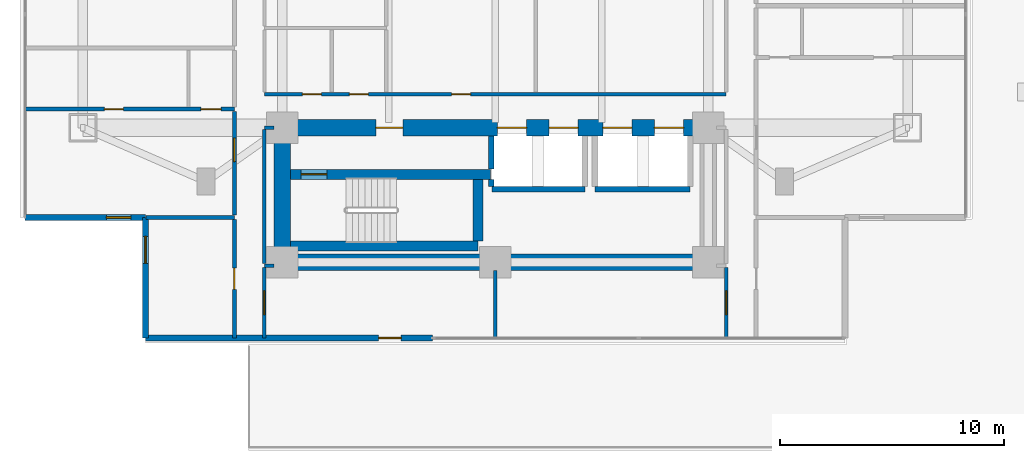
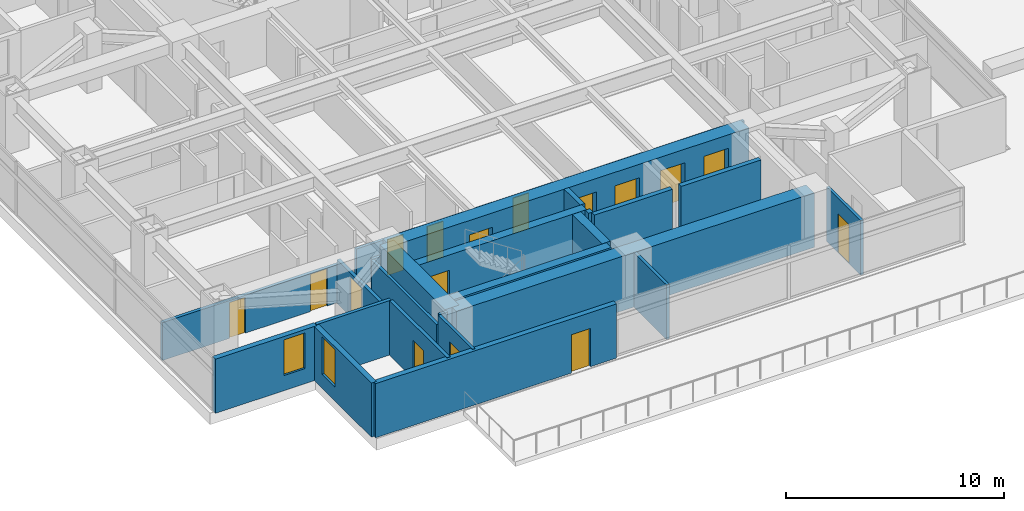
# One storey, part 12 of 26: 24 walls, 16 doors, 2 windows, 18 openings.
"""IFC4 building model written with IfcOpenShell, lengths in metres."""

from ifc_helpers import new_model, si_unit, direction, frame, frame_2d, origin, place, context, subcontext, project, spatial, rectangle, extrude, material, layer, layer_set, type_object, element, fill, save


model = new_model("IFC4")

# Units and contexts
model_context = context("Model", 3, precision=1e-05, world=origin(), true_north=direction((0.0, 1.0)))
body_context = subcontext(model_context, "Body", "Model", "MODEL_VIEW")
ifc_project = project(units=[si_unit("LENGTHUNIT", "METRE"), si_unit("AREAUNIT", "SQUARE_METRE"), si_unit("VOLUMEUNIT", "CUBIC_METRE"), si_unit("PLANEANGLEUNIT", "RADIAN"), si_unit("MASSUNIT", "GRAM", prefix="KILO")], contexts=[model_context])

# Site, building, storey
site_placement = place(None, origin())
site = spatial("IfcSite", under=ifc_project, at=site_placement, CompositionType="ELEMENT")
building_placement = place(site_placement, origin())
building = spatial("IfcBuilding", under=site, at=building_placement, Name="Mirazonda Arch Towers", CompositionType="ELEMENT")
storey_placement = place(building_placement, frame((0.0, 0.0, 22.39990234375)))
storey = spatial("IfcBuildingStorey", under=building, at=storey_placement, Name="L05", CompositionType="ELEMENT", Elevation=22.39990234375)

# Wall
ifc_material_1 = material(Name="Concrete C50/60", Category="concrete")
ifc_layer_1 = layer(ifc_material_1, 0.449951171875, Name="WALL-CORE-450")
ifc_layer_set_1 = layer_set([ifc_layer_1], Name="Concrete C50/60")
wall_type_1 = type_object("IfcWallType", Name="WALL-CORE-450", PredefinedType="SHEAR", material=ifc_layer_set_1)
wall_1_placement = place(storey_placement, frame((11.3701171875, 13.1201171875, 0.0), z_axis=(0.0, 0.0, 1.0), x_axis=(1.0, 0.0, 0.0)))
element("IfcWall", 1, at=wall_1_placement, inside=storey, type_object=wall_type_1, Name="L05 Stair Core Shear Wall 003", PredefinedType="SHEAR", context=body_context, shape_type="SweptSolid", body=[
    extrude(rectangle(XDim=8.35986328125, YDim=0.449951171875, at=frame_2d((4.179931640625, 0.0))), origin(), (0.0, 0.0, 1.0), 3.06005859375),
])

# Wall, opening, door
wall_2_placement = place(storey_placement, frame((11.3701171875, 16.320068359375, 0.0), z_axis=(0.0, 0.0, 1.0), x_axis=(1.0, 0.0, 0.0)))
wall_2 = element("IfcWall", 2, at=wall_2_placement, inside=storey, type_object=wall_type_1, Name="L05 Stair Core Shear Wall 008", PredefinedType="SHEAR", context=body_context, shape_type="SweptSolid", body=[
    extrude(rectangle(XDim=8.909912109375, YDim=0.449951171875, at=frame_2d((4.455078125, 0.0))), origin(), (0.0, 0.0, 1.0), 3.06005859375),
])
opening_1_placement = place(wall_2_placement, frame((0.469970703125, 0.0, 0.0)))
opening_1 = element("IfcOpeningElement", 3, at=opening_1_placement, cuts=wall_2, Name="Opening DR-135", PredefinedType="OPENING", context=body_context, shape_type="SweptSolid", body=[
    extrude(rectangle(XDim=1.14990234375, YDim=2.199951171875, at=frame_2d((0.574951171875, 1.10009765625))), frame((0.0, 0.23486328125, 0.0), z_axis=(0.0, -1.0, 0.0), x_axis=(1.0, 0.0, 0.0)), (0.0, 0.0, 1.0), 0.469970703125),
])
ifc_material_2 = material(Name="Architectural Brushed Steel S355", Category="steel")
door_type_1 = type_object("IfcDoorType", Name="DOOR-STAIR-FD90-1150", OperationType="NOTDEFINED", PredefinedType="DOOR", material=ifc_material_2)
door_1_placement = place(opening_1_placement, origin())
door_1 = element("IfcDoor", 4, at=door_1_placement, inside=storey, type_object=door_type_1, Name="L05 Protected Exit Stair South Door", OperationType="SINGLE_SWING_LEFT", OverallHeight=2.199951171875, OverallWidth=1.14990234375, PredefinedType="DOOR", context=body_context, shape_type="SweptSolid", body=[
    extrude(rectangle(XDim=1.14990234375, YDim=2.199951171875, at=frame_2d((0.574951171875, 1.10009765625))), frame((0.0, 0.02490234375, 0.0), z_axis=(0.0, -1.0, 0.0), x_axis=(1.0, 0.0, 0.0)), (0.0, 0.0, 1.0), 0.050048828125),
])
fill(opening_1, door_1)

# Walls
wall_3_placement = place(storey_placement, frame((19.72998046875, 13.35498046875, 0.0), z_axis=(0.0, 0.0, 1.0), x_axis=(0.0, 1.0, 0.0)))
element("IfcWall", 5, at=wall_3_placement, inside=storey, type_object=wall_type_1, Name="L05 Stair Core Shear Wall 085", PredefinedType="SHEAR", context=body_context, shape_type="SweptSolid", body=[
    extrude(rectangle(XDim=2.72998046875, YDim=0.449951171875, at=frame_2d((1.364990234375, 0.0))), origin(), (0.0, 0.0, 1.0), 3.06005859375),
])
ifc_material_3 = material(Name="Concrete C60/75", Category="concrete")
ifc_layer_2 = layer(ifc_material_3, 0.75, Name="WALL-CORE-750")
ifc_layer_set_2 = layer_set([ifc_layer_2], Name="Concrete C60/75")
wall_type_2 = type_object("IfcWallType", Name="WALL-CORE-750", PredefinedType="SHEAR", material=ifc_layer_set_2)
wall_4_placement = place(storey_placement, frame((11.0, 12.39990234375, 0.0), z_axis=(0.0, 0.0, 1.0), x_axis=(1.0, 0.0, 0.0)))
element("IfcWall", 6, at=wall_4_placement, inside=storey, type_object=wall_type_2, Name="L05 T1S-S Core Shear Wall", PredefinedType="SHEAR", context=body_context, shape_type="SweptSolid", body=[
    extrude(rectangle(XDim=19.0, YDim=0.75, at=frame_2d((9.5, 0.0))), origin(), (0.0, 0.0, 1.0), 3.06005859375),
])
wall_5_placement = place(storey_placement, frame((11.0, 12.39990234375, 0.0), z_axis=(0.0, 0.0, 1.0), x_axis=(0.0, 1.0, 0.0)))
element("IfcWall", 7, at=wall_5_placement, inside=storey, type_object=wall_type_2, Name="L05 T1S-W Core Shear Wall", PredefinedType="SHEAR", context=body_context, shape_type="SweptSolid", body=[
    extrude(rectangle(XDim=6.0, YDim=0.75, at=frame_2d((3.0, 0.0))), origin(), (0.0, 0.0, 1.0), 3.06005859375),
])

# Wall, openings, doors
wall_6_placement = place(storey_placement, frame((11.0, 18.39990234375, 0.0), z_axis=(0.0, 0.0, 1.0), x_axis=(1.0, 0.0, 0.0)))
wall_6 = element("IfcWall", 8, at=wall_6_placement, inside=storey, type_object=wall_type_2, Name="L05 T1S-N Core Shear Wall", PredefinedType="SHEAR", context=body_context, shape_type="SweptSolid", body=[
    extrude(rectangle(XDim=19.0, YDim=0.75, at=frame_2d((9.5, 0.0))), origin(), (0.0, 0.0, 1.0), 3.06005859375),
])
opening_2_placement = place(wall_6_placement, frame((4.175048828125, 0.0, 0.0)))
opening_2 = element("IfcOpeningElement", 9, at=opening_2_placement, cuts=wall_6, Name="Opening DR-117", PredefinedType="OPENING", context=body_context, shape_type="SweptSolid", body=[
    extrude(rectangle(XDim=1.199951171875, YDim=2.25, at=frame_2d((0.60009765625, 1.125))), frame((0.0, 0.385009765625, 0.0), z_axis=(0.0, -1.0, 0.0), x_axis=(1.0, 0.0, 0.0)), (0.0, 0.0, 1.0), 0.77001953125),
])
opening_3_placement = place(wall_6_placement, frame((9.60009765625, 0.0, 0.0)))
opening_3 = element("IfcOpeningElement", 10, at=opening_3_placement, cuts=wall_6, Name="Opening LD-111", PredefinedType="OPENING", context=body_context, shape_type="SweptSolid", body=[
    extrude(rectangle(XDim=1.300048828125, YDim=2.300048828125, at=frame_2d((0.64990234375, 1.14990234375))), frame((0.0, 0.385009765625, 0.0), z_axis=(0.0, -1.0, 0.0), x_axis=(1.0, 0.0, 0.0)), (0.0, 0.0, 1.0), 0.77001953125),
])
opening_4_placement = place(wall_6_placement, frame((11.89990234375, 0.0, 0.0)))
opening_4 = element("IfcOpeningElement", 11, at=opening_4_placement, cuts=wall_6, Name="Opening LD-111", PredefinedType="OPENING", context=body_context, shape_type="SweptSolid", body=[
    extrude(rectangle(XDim=1.300048828125, YDim=2.300048828125, at=frame_2d((0.64990234375, 1.14990234375))), frame((0.0, 0.385009765625, 0.0), z_axis=(0.0, -1.0, 0.0), x_axis=(1.0, 0.0, 0.0)), (0.0, 0.0, 1.0), 0.77001953125),
])
opening_5_placement = place(wall_6_placement, frame((14.300048828125, 0.0, 0.0)))
opening_5 = element("IfcOpeningElement", 12, at=opening_5_placement, cuts=wall_6, Name="Opening LD-111", PredefinedType="OPENING", context=body_context, shape_type="SweptSolid", body=[
    extrude(rectangle(XDim=1.300048828125, YDim=2.300048828125, at=frame_2d((0.64990234375, 1.14990234375))), frame((0.0, 0.385009765625, 0.0), z_axis=(0.0, -1.0, 0.0), x_axis=(1.0, 0.0, 0.0)), (0.0, 0.0, 1.0), 0.77001953125),
])
opening_6_placement = place(wall_6_placement, frame((16.60009765625, 0.0, 0.0)))
opening_6 = element("IfcOpeningElement", 13, at=opening_6_placement, cuts=wall_6, Name="Opening LD-111", PredefinedType="OPENING", context=body_context, shape_type="SweptSolid", body=[
    extrude(rectangle(XDim=1.300048828125, YDim=2.300048828125, at=frame_2d((0.64990234375, 1.14990234375))), frame((0.0, 0.385009765625, 0.0), z_axis=(0.0, -1.0, 0.0), x_axis=(1.0, 0.0, 0.0)), (0.0, 0.0, 1.0), 0.77001953125),
])
door_type_2 = type_object("IfcDoorType", Name="DOOR-FFL-FD90-1200", OperationType="NOTDEFINED", PredefinedType="DOOR", material=ifc_material_2)
door_2_placement = place(opening_2_placement, origin())
door_2 = element("IfcDoor", 14, at=door_2_placement, inside=storey, type_object=door_type_2, Name="L05 South Core Stair & Lift Lobby Door", OperationType="SINGLE_SWING_RIGHT", OverallHeight=2.25, OverallWidth=1.199951171875, PredefinedType="DOOR", context=body_context, shape_type="SweptSolid", body=[
    extrude(rectangle(XDim=1.199951171875, YDim=2.25, at=frame_2d((0.60009765625, 1.125))), frame((0.0, 0.02490234375, 0.0), z_axis=(0.0, -1.0, 0.0), x_axis=(1.0, 0.0, 0.0)), (0.0, 0.0, 1.0), 0.050048828125),
])
fill(opening_2, door_2)
door_type_3 = type_object("IfcDoorType", Name="DOOR-LIFT-LAND-1300", OperationType="NOTDEFINED", PredefinedType="DOOR", material=ifc_material_2)
door_3_placement = place(opening_3_placement, origin())
door_3 = element("IfcDoor", 15, at=door_3_placement, inside=storey, type_object=door_type_3, Name="L05 Lift Landing Sliding Door PL-T1M1", OperationType="DOUBLE_DOOR_SLIDING", OverallHeight=2.300048828125, OverallWidth=1.300048828125, PredefinedType="DOOR", context=body_context, shape_type="SweptSolid", body=[
    extrude(rectangle(XDim=1.300048828125, YDim=2.300048828125, at=frame_2d((0.64990234375, 1.14990234375))), frame((0.0, 0.02490234375, 0.0), z_axis=(0.0, -1.0, 0.0), x_axis=(1.0, 0.0, 0.0)), (0.0, 0.0, 1.0), 0.050048828125),
])
fill(opening_3, door_3)
door_4_placement = place(opening_4_placement, origin())
door_4 = element("IfcDoor", 16, at=door_4_placement, inside=storey, type_object=door_type_3, Name="L05 Lift Landing Sliding Door PL-T1M2", OperationType="DOUBLE_DOOR_SLIDING", OverallHeight=2.300048828125, OverallWidth=1.300048828125, PredefinedType="DOOR", context=body_context, shape_type="SweptSolid", body=[
    extrude(rectangle(XDim=1.300048828125, YDim=2.300048828125, at=frame_2d((0.64990234375, 1.14990234375))), frame((0.0, 0.02490234375, 0.0), z_axis=(0.0, -1.0, 0.0), x_axis=(1.0, 0.0, 0.0)), (0.0, 0.0, 1.0), 0.050048828125),
])
fill(opening_4, door_4)
door_5_placement = place(opening_5_placement, origin())
door_5 = element("IfcDoor", 17, at=door_5_placement, inside=storey, type_object=door_type_3, Name="L05 Lift Landing Sliding Door PL-T1H1", OperationType="DOUBLE_DOOR_SLIDING", OverallHeight=2.300048828125, OverallWidth=1.300048828125, PredefinedType="DOOR", context=body_context, shape_type="SweptSolid", body=[
    extrude(rectangle(XDim=1.300048828125, YDim=2.300048828125, at=frame_2d((0.64990234375, 1.14990234375))), frame((0.0, 0.02490234375, 0.0), z_axis=(0.0, -1.0, 0.0), x_axis=(1.0, 0.0, 0.0)), (0.0, 0.0, 1.0), 0.050048828125),
])
fill(opening_5, door_5)
door_6_placement = place(opening_6_placement, origin())
door_6 = element("IfcDoor", 18, at=door_6_placement, inside=storey, type_object=door_type_3, Name="L05 Lift Landing Sliding Door PL-T1H2", OperationType="DOUBLE_DOOR_SLIDING", OverallHeight=2.300048828125, OverallWidth=1.300048828125, PredefinedType="DOOR", context=body_context, shape_type="SweptSolid", body=[
    extrude(rectangle(XDim=1.300048828125, YDim=2.300048828125, at=frame_2d((0.64990234375, 1.14990234375))), frame((0.0, 0.02490234375, 0.0), z_axis=(0.0, -1.0, 0.0), x_axis=(1.0, 0.0, 0.0)), (0.0, 0.0, 1.0), 0.050048828125),
])
fill(opening_6, door_6)

# Wall, opening, door
ifc_material_4 = material(Name="Precast Concrete C40/50", Category="concrete")
ifc_layer_3 = layer(ifc_material_4, 0.280029296875, Name="WALL-EXT-WALL-280")
ifc_layer_set_3 = layer_set([ifc_layer_3], Name="Precast Concrete C40/50")
wall_type_3 = type_object("IfcWallType", Name="WALL-EXT-WALL-280", PredefinedType="SOLIDWALL", material=ifc_layer_set_3)
wall_7_placement = place(storey_placement, frame((17.699951171875, 9.02001953125, 0.0), z_axis=(0.0, 0.0, 1.0), x_axis=(-1.0, 0.0, 0.0)))
wall_7 = element("IfcWall", 19, at=wall_7_placement, inside=storey, type_object=wall_type_3, Name="L05 L05 T1 Podium Roof Terrace Access Wall South WL-L05-T1-S-ACC", PredefinedType="SOLIDWALL", context=body_context, shape_type="SweptSolid", body=[
    extrude(rectangle(XDim=12.800048828125, YDim=0.280029296875, at=frame_2d((6.39990234375, 0.0))), origin(), (0.0, 0.0, 1.0), 3.0400390625),
])
opening_7_placement = place(wall_7_placement, frame((1.39990234375, 0.0, 0.0)))
opening_7 = element("IfcOpeningElement", 20, at=opening_7_placement, cuts=wall_7, Name="Opening DR-110", PredefinedType="OPENING", context=body_context, shape_type="SweptSolid", body=[
    extrude(rectangle(XDim=1.0, YDim=2.14990234375, at=frame_2d((0.5, 1.074951171875))), frame((0.0, 0.14990234375, 0.0), z_axis=(0.0, -1.0, 0.0), x_axis=(1.0, 0.0, 0.0)), (0.0, 0.0, 1.0), 0.300048828125),
])
door_type_4 = type_object("IfcDoorType", Name="DOOR-ROOF-EXT-1000", OperationType="NOTDEFINED", PredefinedType="DOOR", material=ifc_material_2)
door_7_placement = place(opening_7_placement, origin())
door_7 = element("IfcDoor", 21, at=door_7_placement, inside=storey, type_object=door_type_4, Name="L05 Exterior Door DR-PODRF-T1-S", OperationType="SINGLE_SWING_LEFT", OverallHeight=2.14990234375, OverallWidth=1.0, PredefinedType="DOOR", context=body_context, shape_type="SweptSolid", body=[
    extrude(rectangle(XDim=1.0, YDim=2.14990234375, at=frame_2d((0.5, 1.074951171875))), frame((0.0, 0.02490234375, 0.0), z_axis=(0.0, -1.0, 0.0), x_axis=(1.0, 0.0, 0.0)), (0.0, 0.0, 1.0), 0.050048828125),
])
fill(opening_7, door_7)

# Wall, opening, window
wall_8_placement = place(storey_placement, frame((4.89990234375, 14.39990234375, 0.0), z_axis=(0.0, 0.0, 1.0), x_axis=(0.0, -1.0, 0.0)))
wall_8 = element("IfcWall", 22, at=wall_8_placement, inside=storey, type_object=wall_type_3, Name="L05 T1 Notched SW Corner Wall WL-L05-T1-CSW", PredefinedType="SOLIDWALL", context=body_context, shape_type="SweptSolid", body=[
    extrude(rectangle(XDim=5.3798828125, YDim=0.280029296875, at=frame_2d((2.68994140625, 0.0))), origin(), (0.0, 0.0, 1.0), 3.0400390625),
])
opening_8_placement = place(wall_8_placement, frame((0.85009765625, 0.0, 0.7900390625)))
opening_8 = element("IfcOpeningElement", 23, at=opening_8_placement, cuts=wall_8, Name="Opening WN-122", PredefinedType="OPENING", context=body_context, shape_type="SweptSolid", body=[
    extrude(rectangle(XDim=1.199951171875, YDim=2.10009765625, at=frame_2d((0.60009765625, 1.050048828125))), frame((0.0, 0.14990234375, 0.0), z_axis=(0.0, -1.0, 0.0), x_axis=(1.0, 0.0, 0.0)), (0.0, 0.0, 1.0), 0.300048828125),
])
ifc_material_5 = material(Name="Insulated Low-E Solar Glass", Category="glass")
window_type_1 = type_object("IfcWindowType", Name="WIN-HTL-1200x2100", PartitioningType="SINGLE_PANEL", PredefinedType="WINDOW", material=ifc_material_5)
window_1_placement = place(opening_8_placement, origin())
window_1 = element("IfcWindow", 24, at=window_1_placement, inside=storey, type_object=window_type_1, Name="L05 Punched Facade Window WN-L05-T1-CSW", OverallHeight=2.10009765625, OverallWidth=1.199951171875, PartitioningType="SINGLE_PANEL", PredefinedType="WINDOW", context=body_context, shape_type="SweptSolid", body=[
    extrude(rectangle(XDim=1.199951171875, YDim=2.10009765625, at=frame_2d((0.60009765625, 1.050048828125))), frame((0.0, 0.030029296875, 0.0), z_axis=(0.0, -1.0, 0.0), x_axis=(1.0, 0.0, 0.0)), (0.0, 0.0, 1.0), 0.06005859375),
])
fill(opening_8, window_1)

wall_9_placement = place(storey_placement, frame((-0.47998046875, 14.39990234375, 0.0), z_axis=(0.0, 0.0, 1.0), x_axis=(1.0, 0.0, 0.0)))
wall_9 = element("IfcWall", 25, at=wall_9_placement, inside=storey, type_object=wall_type_3, Name="L05 T1 Corner Notch Return Wall WL-L05-T1-CSW2", PredefinedType="SOLIDWALL", context=body_context, shape_type="SweptSolid", body=[
    extrude(rectangle(XDim=5.3798828125, YDim=0.280029296875, at=frame_2d((2.68994140625, 0.0))), origin(), (0.0, 0.0, 1.0), 3.0400390625),
])
opening_9_placement = place(wall_9_placement, frame((3.6298828125, 0.0, 0.85009765625)))
opening_9 = element("IfcOpeningElement", 26, at=opening_9_placement, cuts=wall_9, Name="Opening WN-108", PredefinedType="OPENING", context=body_context, shape_type="SweptSolid", body=[
    extrude(rectangle(XDim=1.10009765625, YDim=2.0, at=frame_2d((0.550048828125, 1.0))), frame((0.0, 0.14990234375, 0.0), z_axis=(0.0, -1.0, 0.0), x_axis=(1.0, 0.0, 0.0)), (0.0, 0.0, 1.0), 0.300048828125),
])
window_type_2 = type_object("IfcWindowType", Name="WIN-NOTCH-1100x2000", PartitioningType="SINGLE_PANEL", PredefinedType="WINDOW", material=ifc_material_5)
window_2_placement = place(opening_9_placement, origin())
window_2 = element("IfcWindow", 27, at=window_2_placement, inside=storey, type_object=window_type_2, Name="L05 Punched Facade Window WN-L05-T1-CSW2", OverallHeight=2.0, OverallWidth=1.10009765625, PartitioningType="SINGLE_PANEL", PredefinedType="WINDOW", context=body_context, shape_type="SweptSolid", body=[
    extrude(rectangle(XDim=1.10009765625, YDim=2.0, at=frame_2d((0.550048828125, 1.0))), frame((0.0, 0.030029296875, 0.0), z_axis=(0.0, -1.0, 0.0), x_axis=(1.0, 0.0, 0.0)), (0.0, 0.0, 1.0), 0.06005859375),
])
fill(opening_9, window_2)

# Walls
ifc_material_6 = material(Name="Fire-Rated Gypsum Stud Partition")
ifc_layer_4 = layer(ifc_material_6, 0.14990234375, Name="WALL-PART-CORR-150")
ifc_layer_set_4 = layer_set([ifc_layer_4], Name="Fire-Rated Gypsum Stud Partition")
wall_type_4 = type_object("IfcWallType", Name="WALL-PART-CORR-150", PredefinedType="PARTITIONING", material=ifc_layer_set_4)
wall_10_placement = place(storey_placement, frame((10.199951171875, 12.25, 0.0), z_axis=(0.0, 0.0, 1.0), x_axis=(1.0, 0.0, 0.0)))
element("IfcWall", 28, at=wall_10_placement, inside=storey, type_object=wall_type_4, Name="L05 Interior Partition 001", PredefinedType="PARTITIONING", context=body_context, shape_type="SweptSolid", body=[
    extrude(rectangle(XDim=0.429931640625, YDim=0.14990234375, at=frame_2d((0.21484375, 0.0))), origin(), (0.0, 0.0, 1.0), 3.06005859375),
])
wall_11_placement = place(storey_placement, frame((10.199951171875, 18.39990234375, 0.0), z_axis=(0.0, 0.0, 1.0), x_axis=(1.0, 0.0, 0.0)))
element("IfcWall", 29, at=wall_11_placement, inside=storey, type_object=wall_type_4, Name="L05 Interior Partition 012", PredefinedType="PARTITIONING", context=body_context, shape_type="SweptSolid", body=[
    extrude(rectangle(XDim=0.429931640625, YDim=0.14990234375, at=frame_2d((0.21484375, 0.0))), origin(), (0.0, 0.0, 1.0), 2.43603515625),
])

# Wall, openings, doors
wall_12_placement = place(storey_placement, frame((10.199951171875, 19.89990234375, 0.0), z_axis=(0.0, 0.0, 1.0), x_axis=(1.0, 0.0, 0.0)))
wall_12 = element("IfcWall", 30, at=wall_12_placement, inside=storey, type_object=wall_type_4, Name="L05 Interior Partition 016", PredefinedType="PARTITIONING", context=body_context, shape_type="SweptSolid", body=[
    extrude(rectangle(XDim=20.60009765625, YDim=0.14990234375, at=frame_2d((10.300048828125, 0.0))), origin(), (0.0, 0.0, 1.0), 2.10400390625),
])
opening_10_placement = place(wall_12_placement, frame((1.695068359375, 0.0, 0.0)))
opening_10 = element("IfcOpeningElement", 31, at=opening_10_placement, cuts=wall_12, Name="Opening DR-128", PredefinedType="OPENING", context=body_context, shape_type="SweptSolid", body=[
    extrude(rectangle(XDim=0.85009765625, YDim=2.010009765625, at=frame_2d((0.425048828125, 1.0048828125))), frame((0.0, 0.0849609375, 0.0), z_axis=(0.0, -1.0, 0.0), x_axis=(1.0, 0.0, 0.0)), (0.0, 0.0, 1.0), 0.169921875),
])
opening_11_placement = place(wall_12_placement, frame((3.794921875, 0.0, 0.0)))
opening_11 = element("IfcOpeningElement", 32, at=opening_11_placement, cuts=wall_12, Name="Opening DR-128", PredefinedType="OPENING", context=body_context, shape_type="SweptSolid", body=[
    extrude(rectangle(XDim=0.85009765625, YDim=2.010009765625, at=frame_2d((0.425048828125, 1.0048828125))), frame((0.0, 0.0849609375, 0.0), z_axis=(0.0, -1.0, 0.0), x_axis=(1.0, 0.0, 0.0)), (0.0, 0.0, 1.0), 0.169921875),
])
opening_12_placement = place(wall_12_placement, frame((8.35009765625, 0.0, 0.0)))
opening_12 = element("IfcOpeningElement", 33, at=opening_12_placement, cuts=wall_12, Name="Opening DR-128", PredefinedType="OPENING", context=body_context, shape_type="SweptSolid", body=[
    extrude(rectangle(XDim=0.85009765625, YDim=2.010009765625, at=frame_2d((0.425048828125, 1.0048828125))), frame((0.0, 0.0849609375, 0.0), z_axis=(0.0, -1.0, 0.0), x_axis=(1.0, 0.0, 0.0)), (0.0, 0.0, 1.0), 0.169921875),
])
door_type_5 = type_object("IfcDoorType", Name="DOOR-RISER-FD60-850", OperationType="NOTDEFINED", PredefinedType="DOOR", material=ifc_material_2)
door_8_placement = place(opening_10_placement, origin())
door_8 = element("IfcDoor", 34, at=door_8_placement, inside=storey, type_object=door_type_5, Name="L05 Common Accessible WC Door", OperationType="SINGLE_SWING_RIGHT", OverallHeight=2.010009765625, OverallWidth=0.85009765625, PredefinedType="DOOR", context=body_context, shape_type="SweptSolid", body=[
    extrude(rectangle(XDim=0.85009765625, YDim=2.010009765625, at=frame_2d((0.425048828125, 1.0048828125))), frame((0.0, 0.02490234375, 0.0), z_axis=(0.0, -1.0, 0.0), x_axis=(1.0, 0.0, 0.0)), (0.0, 0.0, 1.0), 0.050048828125),
])
fill(opening_10, door_8)
door_9_placement = place(opening_11_placement, origin())
door_9 = element("IfcDoor", 35, at=door_9_placement, inside=storey, type_object=door_type_5, Name="L05 L05 West Courtyard Study Door", OperationType="SINGLE_SWING_RIGHT", OverallHeight=2.010009765625, OverallWidth=0.85009765625, PredefinedType="DOOR", context=body_context, shape_type="SweptSolid", body=[
    extrude(rectangle(XDim=0.85009765625, YDim=2.010009765625, at=frame_2d((0.425048828125, 1.0048828125))), frame((0.0, 0.02490234375, 0.0), z_axis=(0.0, -1.0, 0.0), x_axis=(1.0, 0.0, 0.0)), (0.0, 0.0, 1.0), 0.050048828125),
])
fill(opening_11, door_9)
door_10_placement = place(opening_12_placement, origin())
door_10 = element("IfcDoor", 36, at=door_10_placement, inside=storey, type_object=door_type_5, Name="L05 Executive Club Lounge Door", OperationType="SINGLE_SWING_RIGHT", OverallHeight=2.010009765625, OverallWidth=0.85009765625, PredefinedType="DOOR", context=body_context, shape_type="SweptSolid", body=[
    extrude(rectangle(XDim=0.85009765625, YDim=2.010009765625, at=frame_2d((0.425048828125, 1.0048828125))), frame((0.0, 0.02490234375, 0.0), z_axis=(0.0, -1.0, 0.0), x_axis=(1.0, 0.0, 0.0)), (0.0, 0.0, 1.0), 0.050048828125),
])
fill(opening_12, door_10)

# Wall, opening, door
wall_13_placement = place(storey_placement, frame((10.199951171875, 9.02001953125, 0.0), z_axis=(0.0, 0.0, 1.0), x_axis=(0.0, 1.0, 0.0)))
wall_13 = element("IfcWall", 37, at=wall_13_placement, inside=storey, type_object=wall_type_4, Name="L05 Interior Partition 074", PredefinedType="PARTITIONING", context=body_context, shape_type="SweptSolid", body=[
    extrude(rectangle(XDim=3.14501953125, YDim=0.14990234375, at=frame_2d((1.572509765625, 0.0))), origin(), (0.0, 0.0, 1.0), 3.06005859375),
])
opening_13_placement = place(wall_13_placement, frame((1.047607421875, 0.0, 0.0)))
opening_13 = element("IfcOpeningElement", 38, at=opening_13_placement, cuts=wall_13, Name="Opening DR-121", PredefinedType="OPENING", context=body_context, shape_type="SweptSolid", body=[
    extrude(rectangle(XDim=1.050048828125, YDim=2.199951171875, at=frame_2d((0.52490234375, 1.10009765625))), frame((0.0, 0.0849609375, 0.0), z_axis=(0.0, -1.0, 0.0), x_axis=(1.0, 0.0, 0.0)), (0.0, 0.0, 1.0), 0.169921875),
])
door_type_6 = type_object("IfcDoorType", Name="DOOR-SUITE-FD60-1050", OperationType="NOTDEFINED", PredefinedType="DOOR", material=ifc_material_2)
door_11_placement = place(opening_13_placement, origin())
door_11 = element("IfcDoor", 39, at=door_11_placement, inside=storey, type_object=door_type_6, Name="L05 South Horizon Lounge West Door", OperationType="SINGLE_SWING_RIGHT", OverallHeight=2.199951171875, OverallWidth=1.050048828125, PredefinedType="DOOR", context=body_context, shape_type="SweptSolid", body=[
    extrude(rectangle(XDim=1.050048828125, YDim=2.199951171875, at=frame_2d((0.52490234375, 1.10009765625))), frame((0.0, 0.02490234375, 0.0), z_axis=(0.0, -1.0, 0.0), x_axis=(1.0, 0.0, 0.0)), (0.0, 0.0, 1.0), 0.050048828125),
])
fill(opening_13, door_11)

# Walls
wall_14_placement = place(storey_placement, frame((10.199951171875, 12.3349609375, 0.0), z_axis=(0.0, 0.0, 1.0), x_axis=(0.0, 1.0, 0.0)))
element("IfcWall", 40, at=wall_14_placement, inside=storey, type_object=wall_type_4, Name="L05 Interior Partition 075", PredefinedType="PARTITIONING", context=body_context, shape_type="SweptSolid", body=[
    extrude(rectangle(XDim=5.97998046875, YDim=0.14990234375, at=frame_2d((2.989990234375, 0.0))), origin(), (0.0, 0.0, 1.0), 2.43603515625),
])
wall_15_placement = place(storey_placement, frame((20.5, 9.02001953125, 0.0), z_axis=(0.0, 0.0, 1.0), x_axis=(0.0, 1.0, 0.0)))
element("IfcWall", 41, at=wall_15_placement, inside=storey, type_object=wall_type_4, Name="L05 Interior Partition 089", PredefinedType="PARTITIONING", context=body_context, shape_type="SweptSolid", body=[
    extrude(rectangle(XDim=3.010009765625, YDim=0.14990234375, at=frame_2d((1.5048828125, 0.0))), origin(), (0.0, 0.0, 1.0), 3.06005859375),
])

# Wall, opening, door
wall_16_placement = place(storey_placement, frame((30.800048828125, 9.02001953125, 0.0), z_axis=(0.0, 0.0, 1.0), x_axis=(0.0, 1.0, 0.0)))
wall_16 = element("IfcWall", 42, at=wall_16_placement, inside=storey, type_object=wall_type_4, Name="L05 Interior Partition 100", PredefinedType="PARTITIONING", context=body_context, shape_type="SweptSolid", body=[
    extrude(rectangle(XDim=3.14501953125, YDim=0.14990234375, at=frame_2d((1.572509765625, 0.0))), origin(), (0.0, 0.0, 1.0), 3.06005859375),
])
opening_14_placement = place(wall_16_placement, frame((1.047607421875, 0.0, 0.0)))
opening_14 = element("IfcOpeningElement", 43, at=opening_14_placement, cuts=wall_16, Name="Opening DR-121", PredefinedType="OPENING", context=body_context, shape_type="SweptSolid", body=[
    extrude(rectangle(XDim=1.050048828125, YDim=2.199951171875, at=frame_2d((0.52490234375, 1.10009765625))), frame((0.0, 0.0849609375, 0.0), z_axis=(0.0, -1.0, 0.0), x_axis=(1.0, 0.0, 0.0)), (0.0, 0.0, 1.0), 0.169921875),
])
door_12_placement = place(opening_14_placement, origin())
door_12 = element("IfcDoor", 44, at=door_12_placement, inside=storey, type_object=door_type_6, Name="L05 South Horizon Lounge East Door", OperationType="SINGLE_SWING_LEFT", OverallHeight=2.199951171875, OverallWidth=1.050048828125, PredefinedType="DOOR", context=body_context, shape_type="SweptSolid", body=[
    extrude(rectangle(XDim=1.050048828125, YDim=2.199951171875, at=frame_2d((0.52490234375, 1.10009765625))), frame((0.0, 0.02490234375, 0.0), z_axis=(0.0, -1.0, 0.0), x_axis=(1.0, 0.0, 0.0)), (0.0, 0.0, 1.0), 0.050048828125),
])
fill(opening_14, door_12)

# Wall
ifc_material_7 = material(Name="Fire-Rated Gypsum Twin-Stud Assembly")
ifc_layer_5 = layer(ifc_material_7, 0.179931640625, Name="WALL-PART-DEMISE-180")
ifc_layer_set_5 = layer_set([ifc_layer_5], Name="Fire-Rated Gypsum Twin-Stud Assembly")
wall_type_5 = type_object("IfcWallType", Name="WALL-PART-DEMISE-180", PredefinedType="PARTITIONING", material=ifc_layer_set_5)
wall_17_placement = place(storey_placement, frame((4.919921875, 14.39990234375, 0.0), z_axis=(0.0, 0.0, 1.0), x_axis=(1.0, 0.0, 0.0)))
element("IfcWall", 45, at=wall_17_placement, inside=storey, type_object=wall_type_5, Name="L05 Interior Partition 004", PredefinedType="PARTITIONING", context=body_context, shape_type="SweptSolid", body=[
    extrude(rectangle(XDim=3.940185546875, YDim=0.179931640625, at=frame_2d((1.97021484375, 0.0))), origin(), (0.0, 0.0, 1.0), 3.06005859375),
])

# Wall, openings, doors
wall_18_placement = place(storey_placement, frame((-0.47998046875, 19.23193359375, 0.0), z_axis=(0.0, 0.0, 1.0), x_axis=(1.0, 0.0, 0.0)))
wall_18 = element("IfcWall", 46, at=wall_18_placement, inside=storey, type_object=wall_type_5, Name="L05 Interior Partition 015", PredefinedType="PARTITIONING", context=body_context, shape_type="SweptSolid", body=[
    extrude(rectangle(XDim=9.340087890625, YDim=0.179931640625, at=frame_2d((4.669921875, 0.0))), origin(), (0.0, 0.0, 1.0), 2.125),
])
opening_15_placement = place(wall_18_placement, frame((3.544921875, 0.0, 0.0)))
opening_15 = element("IfcOpeningElement", 47, at=opening_15_placement, cuts=wall_18, Name="Opening DR-128", PredefinedType="OPENING", context=body_context, shape_type="SweptSolid", body=[
    extrude(rectangle(XDim=0.85009765625, YDim=2.010009765625, at=frame_2d((0.425048828125, 1.0048828125))), frame((0.0, 0.099853515625, 0.0), z_axis=(0.0, -1.0, 0.0), x_axis=(1.0, 0.0, 0.0)), (0.0, 0.0, 1.0), 0.199951171875),
])
opening_16_placement = place(wall_18_placement, frame((7.85009765625, 0.0, 0.0)))
opening_16 = element("IfcOpeningElement", 48, at=opening_16_placement, cuts=wall_18, Name="Opening DR-120", PredefinedType="OPENING", context=body_context, shape_type="SweptSolid", body=[
    extrude(rectangle(XDim=0.89990234375, YDim=2.10009765625, at=frame_2d((0.449951171875, 1.050048828125))), frame((0.0, 0.099853515625, 0.0), z_axis=(0.0, -1.0, 0.0), x_axis=(1.0, 0.0, 0.0)), (0.0, 0.0, 1.0), 0.199951171875),
])
door_13_placement = place(opening_15_placement, origin())
door_13 = element("IfcDoor", 49, at=door_13_placement, inside=storey, type_object=door_type_5, Name="L05 Guestroom Study 1 Door", OperationType="SINGLE_SWING_RIGHT", OverallHeight=2.010009765625, OverallWidth=0.85009765625, PredefinedType="DOOR", context=body_context, shape_type="SweptSolid", body=[
    extrude(rectangle(XDim=0.85009765625, YDim=2.010009765625, at=frame_2d((0.425048828125, 1.0048828125))), frame((0.0, 0.02490234375, 0.0), z_axis=(0.0, -1.0, 0.0), x_axis=(1.0, 0.0, 0.0)), (0.0, 0.0, 1.0), 0.050048828125),
])
fill(opening_15, door_13)
door_type_7 = type_object("IfcDoorType", Name="DOOR-WC-900", OperationType="NOTDEFINED", PredefinedType="DOOR", material=ifc_material_2)
door_14_placement = place(opening_16_placement, origin())
door_14 = element("IfcDoor", 50, at=door_14_placement, inside=storey, type_object=door_type_7, Name="L05 En-Suite Bathroom 1 Door", OperationType="SINGLE_SWING_LEFT", OverallHeight=2.10009765625, OverallWidth=0.89990234375, PredefinedType="DOOR", context=body_context, shape_type="SweptSolid", body=[
    extrude(rectangle(XDim=0.89990234375, YDim=2.10009765625, at=frame_2d((0.449951171875, 1.050048828125))), frame((0.0, 0.02490234375, 0.0), z_axis=(0.0, -1.0, 0.0), x_axis=(1.0, 0.0, 0.0)), (0.0, 0.0, 1.0), 0.050048828125),
])
fill(opening_16, door_14)

# Wall, opening, door
wall_19_placement = place(storey_placement, frame((8.860107421875, 9.02001953125, 0.0), z_axis=(0.0, 0.0, 1.0), x_axis=(0.0, 1.0, 0.0)))
wall_19 = element("IfcWall", 51, at=wall_19_placement, inside=storey, type_object=wall_type_5, Name="L05 Interior Partition 066", PredefinedType="PARTITIONING", context=body_context, shape_type="SweptSolid", body=[
    extrude(rectangle(XDim=5.280029296875, YDim=0.179931640625, at=frame_2d((2.64013671875, 0.0))), origin(), (0.0, 0.0, 1.0), 3.06005859375),
])
opening_17_placement = place(wall_19_placement, frame((2.1650390625, 0.0, 0.0)))
opening_17 = element("IfcOpeningElement", 52, at=opening_17_placement, cuts=wall_19, Name="Opening DR-104", PredefinedType="OPENING", context=body_context, shape_type="SweptSolid", body=[
    extrude(rectangle(XDim=0.949951171875, YDim=2.14990234375, at=frame_2d((0.47509765625, 1.074951171875))), frame((0.0, 0.099853515625, 0.0), z_axis=(0.0, -1.0, 0.0), x_axis=(1.0, 0.0, 0.0)), (0.0, 0.0, 1.0), 0.199951171875),
])
door_type_8 = type_object("IfcDoorType", Name="DOOR-ROOM-950", OperationType="NOTDEFINED", PredefinedType="DOOR", material=ifc_material_2)
door_15_placement = place(opening_17_placement, origin())
door_15 = element("IfcDoor", 53, at=door_15_placement, inside=storey, type_object=door_type_8, Name="L05 South Horizon Lounge Alcove West Door", OperationType="SINGLE_SWING_RIGHT", OverallHeight=2.14990234375, OverallWidth=0.949951171875, PredefinedType="DOOR", context=body_context, shape_type="SweptSolid", body=[
    extrude(rectangle(XDim=0.949951171875, YDim=2.14990234375, at=frame_2d((0.47509765625, 1.074951171875))), frame((0.0, 0.02490234375, 0.0), z_axis=(0.0, -1.0, 0.0), x_axis=(1.0, 0.0, 0.0)), (0.0, 0.0, 1.0), 0.050048828125),
])
fill(opening_17, door_15)

wall_20_placement = place(storey_placement, frame((8.860107421875, 14.5, 0.0), z_axis=(0.0, 0.0, 1.0), x_axis=(0.0, 1.0, 0.0)))
wall_20 = element("IfcWall", 54, at=wall_20_placement, inside=storey, type_object=wall_type_5, Name="L05 Interior Partition 067", PredefinedType="PARTITIONING", context=body_context, shape_type="SweptSolid", body=[
    extrude(rectangle(XDim=4.632080078125, YDim=0.179931640625, at=frame_2d((2.31591796875, 0.0))), origin(), (0.0, 0.0, 1.0), 2.43603515625),
])
opening_18_placement = place(wall_20_placement, frame((2.39111328125, 0.0, 0.0)))
opening_18 = element("IfcOpeningElement", 55, at=opening_18_placement, cuts=wall_20, Name="Opening DR-121", PredefinedType="OPENING", context=body_context, shape_type="SweptSolid", body=[
    extrude(rectangle(XDim=1.050048828125, YDim=2.199951171875, at=frame_2d((0.52490234375, 1.10009765625))), frame((0.0, 0.099853515625, 0.0), z_axis=(0.0, -1.0, 0.0), x_axis=(1.0, 0.0, 0.0)), (0.0, 0.0, 1.0), 0.199951171875),
])
door_16_placement = place(opening_18_placement, origin())
door_16 = element("IfcDoor", 56, at=door_16_placement, inside=storey, type_object=door_type_6, Name="L05 King Hotel Guestroom 1 Door", OperationType="SINGLE_SWING_LEFT", OverallHeight=2.199951171875, OverallWidth=1.050048828125, PredefinedType="DOOR", context=body_context, shape_type="SweptSolid", body=[
    extrude(rectangle(XDim=1.050048828125, YDim=2.199951171875, at=frame_2d((0.52490234375, 1.10009765625))), frame((0.0, 0.02490234375, 0.0), z_axis=(0.0, -1.0, 0.0), x_axis=(1.0, 0.0, 0.0)), (0.0, 0.0, 1.0), 0.050048828125),
])
fill(opening_18, door_16)

# Walls
ifc_material_8 = material(Name="Concrete C40/50", Category="concrete")
ifc_layer_6 = layer(ifc_material_8, 0.25, Name="WALL-SHAFT-250")
ifc_layer_set_6 = layer_set([ifc_layer_6], Name="Concrete C40/50")
wall_type_6 = type_object("IfcWallType", Name="WALL-SHAFT-250", PredefinedType="SOLIDWALL", material=ifc_layer_set_6)
wall_21_placement = place(storey_placement, frame((20.35009765625, 15.64990234375, 0.0), z_axis=(0.0, 0.0, 1.0), x_axis=(1.0, 0.0, 0.0)))
element("IfcWall", 57, at=wall_21_placement, inside=storey, type_object=wall_type_6, Name="L05 Interior Partition 006", PredefinedType="SOLIDWALL", context=body_context, shape_type="SweptSolid", body=[
    extrude(rectangle(XDim=4.14990234375, YDim=0.25, at=frame_2d((2.074951171875, 0.0))), origin(), (0.0, 0.0, 1.0), 3.06005859375),
])
wall_22_placement = place(storey_placement, frame((24.949951171875, 15.64990234375, 0.0), z_axis=(0.0, 0.0, 1.0), x_axis=(1.0, 0.0, 0.0)))
element("IfcWall", 58, at=wall_22_placement, inside=storey, type_object=wall_type_6, Name="L05 Interior Partition 007", PredefinedType="SOLIDWALL", context=body_context, shape_type="SweptSolid", body=[
    extrude(rectangle(XDim=4.25, YDim=0.25, at=frame_2d((2.125, 0.0))), origin(), (0.0, 0.0, 1.0), 3.06005859375),
])
wall_23_placement = place(storey_placement, frame((20.31494140625, 15.784912109375, 0.0), z_axis=(0.0, 0.0, 1.0), x_axis=(0.0, 1.0, 0.0)))
element("IfcWall", 59, at=wall_23_placement, inside=storey, type_object=wall_type_6, Name="L05 Interior Partition 087", PredefinedType="SOLIDWALL", context=body_context, shape_type="SweptSolid", body=[
    extrude(rectangle(XDim=0.300048828125, YDim=0.25, at=frame_2d((0.14990234375, 0.0))), origin(), (0.0, 0.0, 1.0), 3.06005859375),
])
wall_24_placement = place(storey_placement, frame((20.31494140625, 16.554931640625, 0.0), z_axis=(0.0, 0.0, 1.0), x_axis=(0.0, 1.0, 0.0)))
element("IfcWall", 60, at=wall_24_placement, inside=storey, type_object=wall_type_6, Name="L05 Interior Partition 088", PredefinedType="SOLIDWALL", context=body_context, shape_type="SweptSolid", body=[
    extrude(rectangle(XDim=1.47509765625, YDim=0.25, at=frame_2d((0.737548828125, 0.0))), origin(), (0.0, 0.0, 1.0), 3.06005859375),
])

save(model, "model.ifc")
